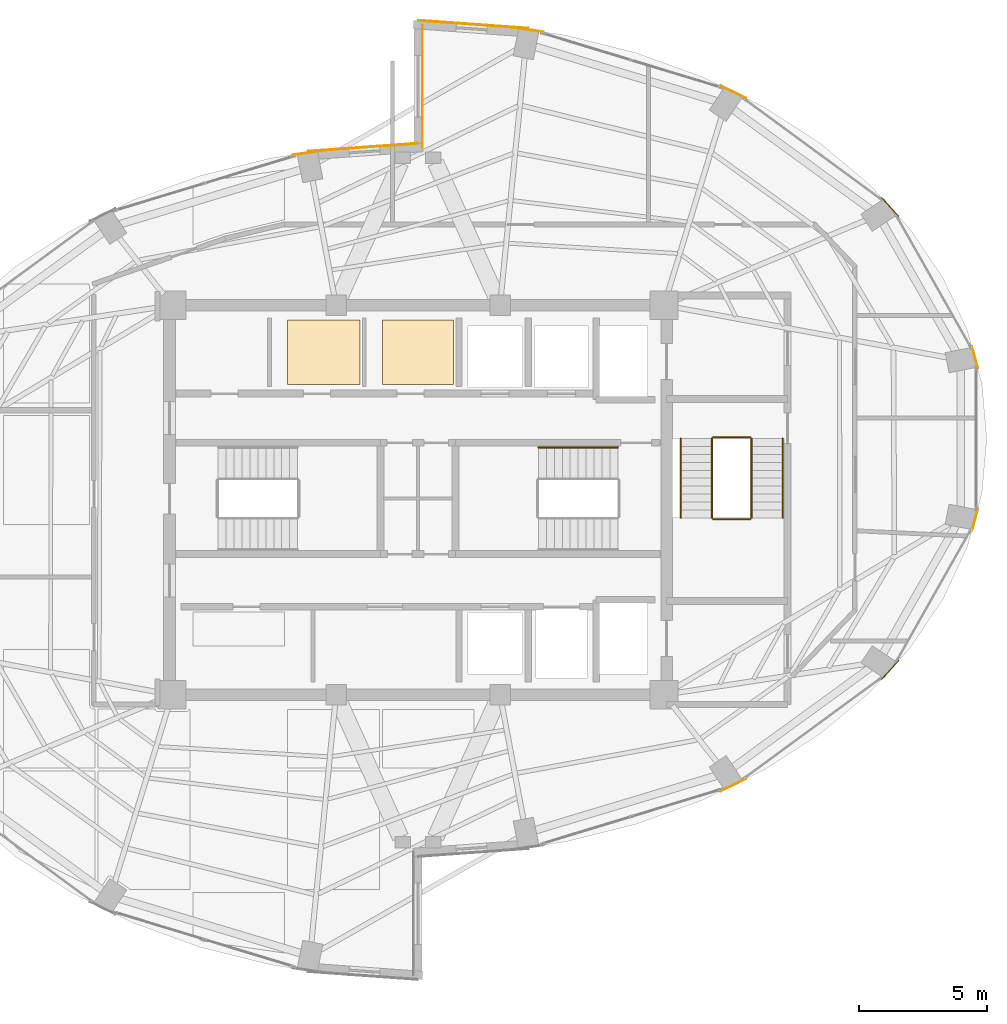
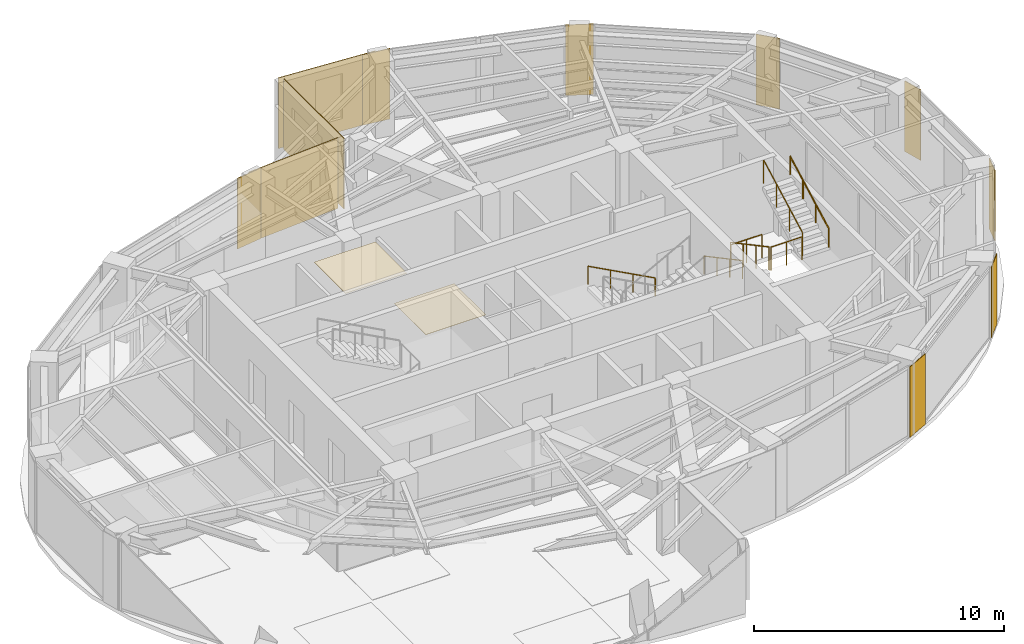
# One storey, part 23 of 23: 13 coverings, 7 railings.
"""IFC4 building model written with IfcOpenShell, lengths in metres."""

from ifc_helpers import new_model, si_unit, direction, frame, origin, origin_2d, place, context, subcontext, project, spatial, polyline, rectangle, circle, outline, extrude, material, layer, layer_set, type_object, element, save


model = new_model("IFC4")

# Units and contexts
model_context = context("Model", 3, precision=1e-05, world=origin(), true_north=direction((0.0, 1.0)))
body_context = subcontext(model_context, "Body", "Model", "MODEL_VIEW")
ifc_project = project(units=[si_unit("LENGTHUNIT", "METRE"), si_unit("AREAUNIT", "SQUARE_METRE"), si_unit("VOLUMEUNIT", "CUBIC_METRE"), si_unit("PLANEANGLEUNIT", "RADIAN"), si_unit("MASSUNIT", "GRAM", prefix="KILO")], contexts=[model_context])

# Site, building, storey
site_placement = place(None, origin())
site = spatial("IfcSite", under=ifc_project, at=site_placement, CompositionType="ELEMENT")
building_placement = place(site_placement, origin())
building = spatial("IfcBuilding", under=site, at=building_placement, Name="Lazwardi Medical Tower", CompositionType="ELEMENT")
storey_placement = place(building_placement, frame((0.0, 0.0, 262.320068359375)))
storey = spatial("IfcBuildingStorey", under=building, at=storey_placement, Name="L68", CompositionType="ELEMENT", Elevation=262.320068359375)

# Coverings
ifc_material_1 = material(Name="Anodised bronze aluminium cassette cladding", Category="aluminium")
ifc_layer_1 = layer(ifc_material_1, 0.030029296875)
ifc_layer_set_1 = layer_set([ifc_layer_1], Name="Anodised bronze aluminium cassette cladding")
covering_type_1 = type_object("IfcCoveringType", Name="COV-CLD-BRZ", PredefinedType="CLADDING", material=ifc_layer_set_1)
covering_1_placement = place(storey_placement, frame((48.311279296875, 16.878662109375, 0.0), z_axis=(0.0, 0.0, 1.0), x_axis=(0.897840141691, 0.440321564278, 0.0)))
element("IfcCovering", 1, at=covering_1_placement, inside=storey, type_object=covering_type_1, Name="L68 Mega-column bronze cassette cover M02", PredefinedType="CLADDING", context=body_context, shape_type="SweptSolid", body=[
    extrude(rectangle(XDim=1.110595703125, YDim=0.030029296875, at=origin_2d()), origin(), (0.0, 0.0, 1.0), 3.447998046875),
])
covering_2_placement = place(storey_placement, frame((54.42529296875, 21.365234375, 0.0), z_axis=(0.0, 0.0, 1.0), x_axis=(0.673240970654, 0.739423150458, 0.0)))
element("IfcCovering", 2, at=covering_2_placement, inside=storey, type_object=covering_type_1, Name="L68 Mega-column bronze cassette cover M03", PredefinedType="CLADDING", context=body_context, shape_type="SweptSolid", body=[
    extrude(rectangle(XDim=0.98974609375, YDim=0.030029296875, at=origin_2d()), origin(), (0.0, 0.0, 1.0), 3.447998046875),
])
for number, where, z_axis, x_axis, name in (
    (3, (57.734130859375, 27.227294921875, 0.0), (0.0, 0.0, 1.0), (0.261641748247, 0.96516506131, 0.0), "L68 Mega-column bronze cassette cover M04"),
    (4, (57.734130859375, 33.572509765625, 0.0), (0.0, 0.0, 1.0), (-0.261641748247, 0.96516506131, 0.0), "L68 Mega-column bronze cassette cover M05"),
):
    element("IfcCovering", number, at=place(storey_placement, frame(where, z_axis=z_axis, x_axis=x_axis)), inside=storey, type_object=covering_type_1, Name=name, PredefinedType="CLADDING", context=body_context, shape_type="SweptSolid", body=[
        extrude(rectangle(XDim=0.894287109375, YDim=0.030029296875, at=origin_2d()), origin(), (0.0, 0.0, 1.0), 3.447998046875),
    ])
covering_3_placement = place(storey_placement, frame((54.42529296875, 39.434814453125, 0.0), z_axis=(0.0, 0.0, 1.0), x_axis=(-0.673240970654, 0.739423150458, 0.0)))
element("IfcCovering", 5, at=covering_3_placement, inside=storey, type_object=covering_type_1, Name="L68 Mega-column bronze cassette cover M06", PredefinedType="CLADDING", context=body_context, shape_type="SweptSolid", body=[
    extrude(rectangle(XDim=0.98974609375, YDim=0.030029296875, at=origin_2d()), origin(), (0.0, 0.0, 1.0), 3.447998046875),
])
covering_4_placement = place(storey_placement, frame((48.311279296875, 43.92138671875, 0.0), z_axis=(0.0, 0.0, 1.0), x_axis=(-0.897840141691, 0.440321564278, 0.0)))
element("IfcCovering", 6, at=covering_4_placement, inside=storey, type_object=covering_type_1, Name="L68 Mega-column bronze cassette cover M07", PredefinedType="CLADDING", context=body_context, shape_type="SweptSolid", body=[
    extrude(rectangle(XDim=1.110595703125, YDim=0.030029296875, at=origin_2d()), origin(), (0.0, 0.0, 1.0), 3.447998046875),
])
for number, where, z_axis, x_axis, name in (
    (7, (40.3232421875, 46.349609375, 0.0), (0.0, 0.0, 1.0), (-0.989512431533, 0.144447733943, 0.0), "L68 Mega-column bronze cassette cover M08"),
    (8, (31.6767578125, 41.549560546875, 0.0), (0.0, 0.0, 1.0), (-0.989512431533, -0.144447733943, 0.0), "L68 Mega-column bronze cassette cover M09"),
):
    element("IfcCovering", number, at=place(storey_placement, frame(where, z_axis=z_axis, x_axis=x_axis)), inside=storey, type_object=covering_type_1, Name=name, PredefinedType="CLADDING", context=body_context, shape_type="SweptSolid", body=[
        extrude(rectangle(XDim=1.188720703125, YDim=0.030029296875, at=origin_2d()), origin(), (0.0, 0.0, 1.0), 3.447998046875),
    ])
ifc_material_2 = material(Name="Turquoise glazed ceramic tilework cladding", Category="masonry")
ifc_layer_2 = layer(ifc_material_2, 0.034912109375)
ifc_layer_set_2 = layer_set([ifc_layer_2], Name="Turquoise glazed ceramic tilework cladding")
covering_type_2 = type_object("IfcCoveringType", Name="COV-CLD-TRQ", PredefinedType="CLADDING", material=ifc_layer_set_2)
covering_5_placement = place(storey_placement, frame((38.16259765625, 46.56005859375, 0.0), z_axis=(0.0, 0.0, 1.0), x_axis=(-0.997409491337, 0.071932653157, 0.0)))
element("IfcCovering", 9, at=covering_5_placement, inside=storey, type_object=covering_type_2, Name="L68 Turquoise glazed ceramic tilework cladding", PredefinedType="CLADDING", context=body_context, shape_type="SweptSolid", body=[
    extrude(rectangle(XDim=4.31103515625, YDim=0.034912109375, at=origin_2d()), origin(), (0.0, 0.0, 1.0), 3.447998046875),
])
covering_6_placement = place(storey_placement, frame((33.83740234375, 41.760009765625, 0.0), z_axis=(0.0, 0.0, 1.0), x_axis=(-0.997408989128, -0.071939616387, 0.0)))
element("IfcCovering", 10, at=covering_6_placement, inside=storey, type_object=covering_type_2, Name="L68 Turquoise glazed ceramic tilework cladding", PredefinedType="CLADDING", context=body_context, shape_type="SweptSolid", body=[
    extrude(rectangle(XDim=4.310546875, YDim=0.034912109375, at=origin_2d()), origin(), (0.0, 0.0, 1.0), 3.447998046875),
])
covering_7_placement = place(storey_placement, frame((36.175537109375, 44.139892578125, 0.0), z_axis=(0.0, 0.0, 1.0), x_axis=(0.0, -1.0, 0.0)))
element("IfcCovering", 11, at=covering_7_placement, inside=storey, type_object=covering_type_2, Name="L68 Turquoise glazed ceramic tilework iwan panel", PredefinedType="CLADDING", context=body_context, shape_type="SweptSolid", body=[
    extrude(rectangle(XDim=4.800048828125, YDim=0.034912109375, at=origin_2d()), origin(), (0.0, 0.0, 1.0), 3.447998046875),
])
ifc_material_3 = material(Name="Acoustic mineral fibre tile")
ifc_layer_3 = layer(ifc_material_3, 0.02490234375)
ifc_layer_set_3 = layer_set([ifc_layer_3], Name="Acoustic mineral fibre tile")
covering_type_3 = type_object("IfcCoveringType", Name="COV-CLG-01", PredefinedType="CEILING", material=ifc_layer_set_3)
covering_8_placement = place(storey_placement, frame((0.0, 0.0, 3.302978515625)))
element("IfcCovering", 12, at=covering_8_placement, inside=storey, type_object=covering_type_3, Name="L68 Clinical Acoustic Ceiling 10", PredefinedType="CEILING", context=body_context, shape_type="SweptSolid", body=[
    extrude(outline(polyline([(30.912841796875, 32.5), (33.739990234375, 32.5), (33.739990234375, 35.02001953125), (30.912841796875, 35.02001953125), (30.912841796875, 32.5)])), origin(), (0.0, 0.0, 1.0), 0.02490234375),
])
ifc_material_4 = material(Name="Anti-static hospital vinyl sheet flooring")
ifc_layer_4 = layer(ifc_material_4, 0.014892578125)
ifc_layer_set_4 = layer_set([ifc_layer_4], Name="Anti-static hospital vinyl sheet flooring")
covering_type_4 = type_object("IfcCoveringType", Name="COV-FLR-01", PredefinedType="FLOORING", material=ifc_layer_set_4)
covering_9_placement = place(storey_placement, origin())
element("IfcCovering", 13, at=covering_9_placement, inside=storey, type_object=covering_type_4, Name="L68 Clinical Vinyl Flooring 10", PredefinedType="FLOORING", context=body_context, shape_type="SweptSolid", body=[
    extrude(outline(polyline([(34.61279296875, 32.5), (37.389892578125, 32.5), (37.389892578125, 35.02001953125), (34.61279296875, 35.02001953125), (34.61279296875, 32.5)])), origin(), (0.0, 0.0, 1.0), 0.014892578125),
])

# Railings
ifc_material_5 = material(Name="Stainless steel Grade 316", Category="steel")
railing_type_1 = type_object("IfcRailingType", Name="RLG-GRD-1150", PredefinedType="GUARDRAIL", material=ifc_material_5)
railing_1_placement = place(storey_placement, frame((47.469970703125, 30.39990234375, 0.165771484375)))
element("IfcRailing", 14, at=railing_1_placement, inside=storey, type_object=railing_type_1, Name="L68 ST3 stair guard 1", PredefinedType="GUARDRAIL", context=body_context, shape_type="SweptSolid", body=[
    extrude(circle(Radius=0.02392578125, at=origin_2d()), frame((0.0, 0.0, 1.1259765625), z_axis=(0.0, -0.881767849116, 0.471683644262), x_axis=(1.0, 0.0, 0.0)), (0.0, 0.0, 1.0), 3.515380859375),
    extrude(circle(Radius=0.02099609375, at=origin_2d()), origin(), (0.0, 0.0, 1.0), 1.099853515625),
    extrude(circle(Radius=0.02099609375, at=origin_2d()), frame((0.0, -1.033203125, 0.552734375)), (0.0, 0.0, 1.0), 1.099853515625),
    extrude(circle(Radius=0.02099609375, at=origin_2d()), frame((0.0, -2.066650390625, 1.10546875)), (0.0, 0.0, 1.0), 1.099853515625),
    extrude(circle(Radius=0.02099609375, at=origin_2d()), frame((0.0, -3.099853515625, 1.658203125)), (0.0, 0.0, 1.0), 1.099853515625),
])
railing_2_placement = place(storey_placement, frame((47.52001953125, 27.25, 1.823974609375)))
element("IfcRailing", 15, at=railing_2_placement, inside=storey, type_object=railing_type_1, Name="L68 ST3 stair guard 2", PredefinedType="GUARDRAIL", context=body_context, shape_type="SweptSolid", body=[
    extrude(circle(Radius=0.02392578125, at=origin_2d()), frame((0.0, 0.0, 1.1259765625), z_axis=(1.0, 0.0, 0.0), x_axis=(0.0, 1.0, 0.0)), (0.0, 0.0, 1.0), 1.43994140625),
    extrude(circle(Radius=0.02099609375, at=origin_2d()), origin(), (0.0, 0.0, 1.0), 1.099853515625),
    extrude(circle(Radius=0.02099609375, at=origin_2d()), frame((0.719970703125, 0.0, 0.0)), (0.0, 0.0, 1.0), 1.099853515625),
    extrude(circle(Radius=0.02099609375, at=origin_2d()), frame((1.43994140625, 0.0, 0.0)), (0.0, 0.0, 1.0), 1.099853515625),
])
railing_3_placement = place(storey_placement, frame((49.010009765625, 27.300048828125, 1.98974609375)))
element("IfcRailing", 16, at=railing_3_placement, inside=storey, type_object=railing_type_1, Name="L68 ST3 stair guard 3", PredefinedType="GUARDRAIL", context=body_context, shape_type="SweptSolid", body=[
    extrude(circle(Radius=0.02392578125, at=origin_2d()), frame((0.0, 0.0, 1.1259765625), z_axis=(0.0, 0.881767849116, 0.471683644262), x_axis=(-1.0, 0.0, 0.0)), (0.0, 0.0, 1.0), 3.515380859375),
    extrude(circle(Radius=0.02099609375, at=origin_2d()), origin(), (0.0, 0.0, 1.0), 1.099853515625),
    extrude(circle(Radius=0.02099609375, at=origin_2d()), frame((0.0, 1.033203125, 0.552734375)), (0.0, 0.0, 1.0), 1.099853515625),
    extrude(circle(Radius=0.02099609375, at=origin_2d()), frame((0.0, 2.066650390625, 1.10546875)), (0.0, 0.0, 1.0), 1.099853515625),
    extrude(circle(Radius=0.02099609375, at=origin_2d()), frame((0.0, 3.099853515625, 1.658203125)), (0.0, 0.0, 1.0), 1.099853515625),
])
railing_4_placement = place(storey_placement, frame((47.52001953125, 30.449951171875, 0.0)))
element("IfcRailing", 17, at=railing_4_placement, inside=storey, type_object=railing_type_1, Name="L68 ST3 stair guard 4", PredefinedType="GUARDRAIL", context=body_context, shape_type="SweptSolid", body=[
    extrude(circle(Radius=0.02392578125, at=origin_2d()), frame((0.0, 0.0, 1.1259765625), z_axis=(1.0, 0.0, 0.0), x_axis=(0.0, 1.0, 0.0)), (0.0, 0.0, 1.0), 1.43994140625),
    extrude(circle(Radius=0.02099609375, at=origin_2d()), origin(), (0.0, 0.0, 1.0), 1.099853515625),
    extrude(circle(Radius=0.02099609375, at=origin_2d()), frame((0.719970703125, 0.0, 0.0)), (0.0, 0.0, 1.0), 1.099853515625),
    extrude(circle(Radius=0.02099609375, at=origin_2d()), frame((1.43994140625, 0.0, 0.0)), (0.0, 0.0, 1.0), 1.099853515625),
])
railing_type_2 = type_object("IfcRailingType", Name="RLG-HND-920", PredefinedType="HANDRAIL", material=ifc_material_5)
railing_5_placement = place(storey_placement, frame((43.800048828125, 30.050048828125, 0.165771484375)))
element("IfcRailing", 18, at=railing_5_placement, inside=storey, type_object=railing_type_2, Name="L68 ST2 stair handrail 1", PredefinedType="HANDRAIL", context=body_context, shape_type="SweptSolid", body=[
    extrude(circle(Radius=0.02392578125, at=origin_2d()), frame((0.0, 0.0, 0.8857421875), z_axis=(-0.881783298633, 0.0, 0.471654761719), x_axis=(0.0, -1.0, 0.0)), (0.0, 0.0, 1.0), 3.515625),
    extrude(circle(Radius=0.02099609375, at=origin_2d()), origin(), (0.0, 0.0, 1.0), 0.85986328125),
    extrude(circle(Radius=0.02099609375, at=origin_2d()), frame((-1.033447265625, 0.0, 0.552734375)), (0.0, 0.0, 1.0), 0.85986328125),
    extrude(circle(Radius=0.02099609375, at=origin_2d()), frame((-2.066650390625, 0.0, 1.10546875)), (0.0, 0.0, 1.0), 0.85986328125),
    extrude(circle(Radius=0.02099609375, at=origin_2d()), frame((-3.10009765625, 0.0, 1.658203125)), (0.0, 0.0, 1.0), 0.85986328125),
])
railing_6_placement = place(storey_placement, frame((46.25, 30.39990234375, 0.165771484375)))
element("IfcRailing", 19, at=railing_6_placement, inside=storey, type_object=railing_type_2, Name="L68 ST3 stair handrail 1", PredefinedType="HANDRAIL", context=body_context, shape_type="SweptSolid", body=[
    extrude(circle(Radius=0.02392578125, at=origin_2d()), frame((0.0, 0.0, 0.8857421875), z_axis=(0.0, -0.881767849116, 0.471683644262), x_axis=(1.0, 0.0, 0.0)), (0.0, 0.0, 1.0), 3.515380859375),
    extrude(circle(Radius=0.02099609375, at=origin_2d()), origin(), (0.0, 0.0, 1.0), 0.85986328125),
    extrude(circle(Radius=0.02099609375, at=origin_2d()), frame((0.0, -1.033203125, 0.552734375)), (0.0, 0.0, 1.0), 0.85986328125),
    extrude(circle(Radius=0.02099609375, at=origin_2d()), frame((0.0, -2.066650390625, 1.10546875)), (0.0, 0.0, 1.0), 0.85986328125),
    extrude(circle(Radius=0.02099609375, at=origin_2d()), frame((0.0, -3.099853515625, 1.658203125)), (0.0, 0.0, 1.0), 0.85986328125),
])
railing_7_placement = place(storey_placement, frame((50.22998046875, 27.300048828125, 1.98974609375)))
element("IfcRailing", 20, at=railing_7_placement, inside=storey, type_object=railing_type_2, Name="L68 ST3 stair handrail 2", PredefinedType="HANDRAIL", context=body_context, shape_type="SweptSolid", body=[
    extrude(circle(Radius=0.02392578125, at=origin_2d()), frame((0.0, 0.0, 0.8857421875), z_axis=(0.0, 0.881767849116, 0.471683644262), x_axis=(-1.0, 0.0, 0.0)), (0.0, 0.0, 1.0), 3.515380859375),
    extrude(circle(Radius=0.02099609375, at=origin_2d()), origin(), (0.0, 0.0, 1.0), 0.85986328125),
    extrude(circle(Radius=0.02099609375, at=origin_2d()), frame((0.0, 1.033203125, 0.552734375)), (0.0, 0.0, 1.0), 0.85986328125),
    extrude(circle(Radius=0.02099609375, at=origin_2d()), frame((0.0, 2.066650390625, 1.10546875)), (0.0, 0.0, 1.0), 0.85986328125),
    extrude(circle(Radius=0.02099609375, at=origin_2d()), frame((0.0, 3.099853515625, 1.658203125)), (0.0, 0.0, 1.0), 0.85986328125),
])

save(model, "model.ifc")
